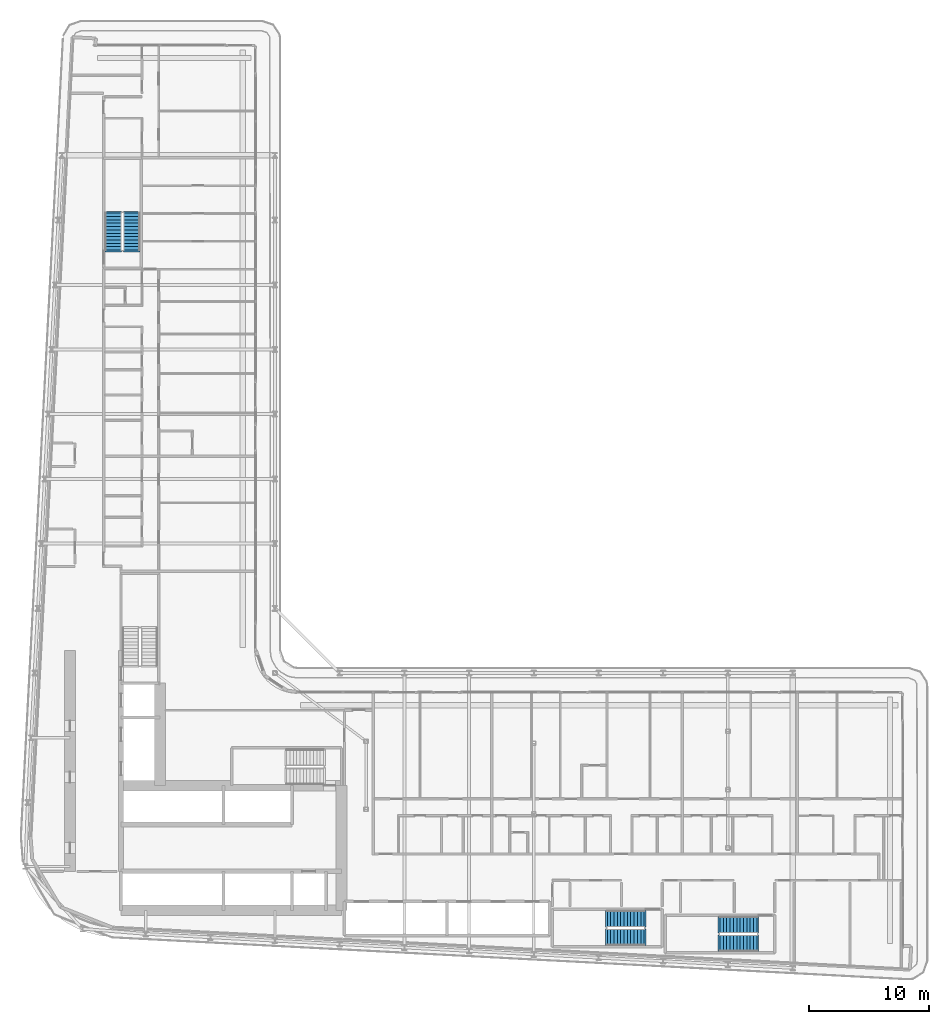
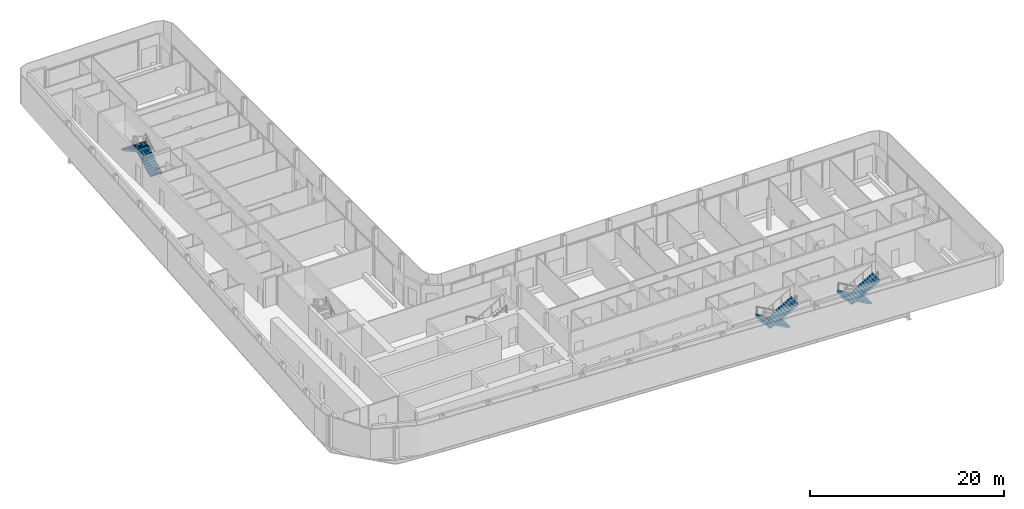
# One storey, part 21 of 28: 6 stair flights, 3 elements without a shape of their own.
"""IFC4 building model written with IfcOpenShell, lengths in metres."""

from ifc_helpers import new_model, si_unit, direction, frame, origin, place, context, subcontext, project, spatial, polyline, outline, extrude, material, layer, layer_set, type_object, element, aggregate, save


model = new_model("IFC4")

# Units and contexts
model_context = context("Model", 3, precision=1e-05, world=origin(), true_north=direction((0.0, 1.0)))
body_context = subcontext(model_context, "Body", "Model", "MODEL_VIEW")
ifc_project = project(units=[si_unit("LENGTHUNIT", "METRE"), si_unit("AREAUNIT", "SQUARE_METRE"), si_unit("VOLUMEUNIT", "CUBIC_METRE"), si_unit("PLANEANGLEUNIT", "RADIAN"), si_unit("MASSUNIT", "GRAM", prefix="KILO")], contexts=[model_context])

# Site, building, storey
site_placement = place(None, origin())
site = spatial("IfcSite", under=ifc_project, at=site_placement, CompositionType="ELEMENT")
building_placement = place(site_placement, origin())
building = spatial("IfcBuilding", under=site, at=building_placement, Name="Kheshtan School and Residences Tower", CompositionType="ELEMENT")
storey_placement = place(building_placement, frame((0.0, 0.0, 129.199951171875)))
storey = spatial("IfcBuildingStorey", under=building, at=storey_placement, Name="L30", CompositionType="ELEMENT", Elevation=129.199951171875)

# Stair, stair flights
ifc_material = material(Name="Concrete C40/50", Category="concrete")
stair_type = type_object("IfcStairType", Name="Exit stair, half-turn", PredefinedType="HALF_TURN_STAIR", material=ifc_material)
stair_1_placement = place(storey_placement, origin())
stair_1 = element("IfcStair", 1, at=stair_1_placement, inside=storey, type_object=stair_type, Name="L30 Protected Exit Stair ST3", PredefinedType="HALF_TURN_STAIR")
ifc_layer = layer(ifc_material, 0.14990234375)
ifc_layer_set = layer_set([ifc_layer], Name="Stair flight 1400 Concrete C40/50")
stair_flight_type = type_object("IfcStairFlightType", Name="Stair flight 1400 Concrete C40/50", PredefinedType="STRAIGHT", material=ifc_layer_set)
stair_flight_1_placement = place(storey_placement, frame((35.64990234375, 80.89990234375, 0.0), z_axis=(0.0, 0.0, 1.0), x_axis=(0.0, 1.0, 0.0)))
stair_flight_1 = element("IfcStairFlight", 2, at=stair_flight_1_placement, type_object=stair_flight_type, Name="ST3 flight 1", NumberOfRisers=12, NumberOfTreads=11, PredefinedType="STRAIGHT", RiserHeight=0.1625, TreadLength=0.28, context=body_context, shape_type="SweptSolid", body=[
    extrude(outline(polyline([(-0.14990234375, -0.10009765625), (-0.14990234375, 0.0), (0.0, 0.0), (0.0, 0.16259765625), (0.280029296875, 0.16259765625), (0.280029296875, 0.324951171875), (0.56005859375, 0.324951171875), (0.56005859375, 0.487548828125), (0.840087890625, 0.487548828125), (0.840087890625, 0.64990234375), (1.1201171875, 0.64990234375), (1.1201171875, 0.8125), (1.39990234375, 0.8125), (1.39990234375, 0.97509765625), (1.679931640625, 0.97509765625), (1.679931640625, 1.137451171875), (1.9599609375, 1.137451171875), (1.9599609375, 1.300048828125), (2.239990234375, 1.300048828125), (2.239990234375, 1.46240234375), (2.52001953125, 1.46240234375), (2.52001953125, 1.625), (2.800048828125, 1.625), (2.800048828125, 1.78759765625), (3.080078125, 1.78759765625), (3.080078125, 1.949951171875), (3.080078125, 1.969970703125), (3.22998046875, 1.969970703125), (3.22998046875, 1.6142578125), (0.298583984375, 0.0), (-0.14990234375, -0.10009765625)])), frame((0.0, 0.699951171875, 0.0), z_axis=(0.0, -1.0, 0.0), x_axis=(1.0, 0.0, 0.0)), (0.0, 0.0, 1.0), 1.39990234375),
])
stair_flight_2_placement = place(storey_placement, frame((34.10009765625, 83.97998046875, 1.949951171875), z_axis=(0.0, 0.0, 1.0), x_axis=(0.0, -1.0, 0.0)))
stair_flight_2 = element("IfcStairFlight", 3, at=stair_flight_2_placement, type_object=stair_flight_type, Name="ST3 flight 2", NumberOfRisers=12, NumberOfTreads=11, PredefinedType="STRAIGHT", RiserHeight=0.1625, TreadLength=0.28, context=body_context, shape_type="SweptSolid", body=[
    extrude(outline(polyline([(-0.14990234375, -0.10009765625), (-0.14990234375, 0.0), (0.0, 0.0), (0.0, 0.16259765625), (0.280029296875, 0.16259765625), (0.280029296875, 0.324951171875), (0.56005859375, 0.324951171875), (0.56005859375, 0.487548828125), (0.840087890625, 0.487548828125), (0.840087890625, 0.64990234375), (1.1201171875, 0.64990234375), (1.1201171875, 0.8125), (1.39990234375, 0.8125), (1.39990234375, 0.97509765625), (1.679931640625, 0.97509765625), (1.679931640625, 1.137451171875), (1.9599609375, 1.137451171875), (1.9599609375, 1.300048828125), (2.239990234375, 1.300048828125), (2.239990234375, 1.46240234375), (2.52001953125, 1.46240234375), (2.52001953125, 1.625), (2.800048828125, 1.625), (2.800048828125, 1.78759765625), (3.080078125, 1.78759765625), (3.080078125, 1.949951171875), (3.080078125, 1.969970703125), (3.22998046875, 1.969970703125), (3.22998046875, 1.6142578125), (0.298583984375, 0.0), (-0.14990234375, -0.10009765625)])), frame((0.0, 0.699951171875, 0.0), z_axis=(0.0, -1.0, 0.0), x_axis=(1.0, 0.0, 0.0)), (0.0, 0.0, 1.0), 1.39990234375),
])
aggregate(stair_1, [stair_flight_1, stair_flight_2])

stair_2_placement = place(storey_placement, origin())
stair_2 = element("IfcStair", 4, at=stair_2_placement, inside=storey, type_object=stair_type, Name="L30 Protected Exit Stair ST4", PredefinedType="HALF_TURN_STAIR")
stair_flight_3_placement = place(storey_placement, frame((87.820068359375, 24.60009765625, 0.0), z_axis=(0.0, 0.0, 1.0), x_axis=(-1.0, 0.0, 0.0)))
stair_flight_3 = element("IfcStairFlight", 5, at=stair_flight_3_placement, type_object=stair_flight_type, Name="ST4 flight 1", NumberOfRisers=12, NumberOfTreads=11, PredefinedType="STRAIGHT", RiserHeight=0.1625, TreadLength=0.28, context=body_context, shape_type="SweptSolid", body=[
    extrude(outline(polyline([(-0.14990234375, -0.10009765625), (-0.14990234375, 0.0), (0.0, 0.0), (0.0, 0.16259765625), (0.280029296875, 0.16259765625), (0.280029296875, 0.324951171875), (0.56005859375, 0.324951171875), (0.56005859375, 0.487548828125), (0.840087890625, 0.487548828125), (0.840087890625, 0.64990234375), (1.1201171875, 0.64990234375), (1.1201171875, 0.8125), (1.39990234375, 0.8125), (1.39990234375, 0.97509765625), (1.679931640625, 0.97509765625), (1.679931640625, 1.137451171875), (1.9599609375, 1.137451171875), (1.9599609375, 1.300048828125), (2.239990234375, 1.300048828125), (2.239990234375, 1.46240234375), (2.52001953125, 1.46240234375), (2.52001953125, 1.625), (2.800048828125, 1.625), (2.800048828125, 1.78759765625), (3.080078125, 1.78759765625), (3.080078125, 1.949951171875), (3.080078125, 1.969970703125), (3.22998046875, 1.969970703125), (3.22998046875, 1.6142578125), (0.298583984375, 0.0), (-0.14990234375, -0.10009765625)])), frame((0.0, 0.699951171875, 0.0), z_axis=(0.0, -1.0, 0.0), x_axis=(1.0, 0.0, 0.0)), (0.0, 0.0, 1.0), 1.39990234375),
])
stair_flight_4_placement = place(storey_placement, frame((84.739990234375, 23.050048828125, 1.949951171875), z_axis=(0.0, 0.0, 1.0), x_axis=(1.0, 0.0, 0.0)))
stair_flight_4 = element("IfcStairFlight", 6, at=stair_flight_4_placement, type_object=stair_flight_type, Name="ST4 flight 2", NumberOfRisers=12, NumberOfTreads=11, PredefinedType="STRAIGHT", RiserHeight=0.1625, TreadLength=0.28, context=body_context, shape_type="SweptSolid", body=[
    extrude(outline(polyline([(-0.14990234375, -0.10009765625), (-0.14990234375, 0.0), (0.0, 0.0), (0.0, 0.16259765625), (0.280029296875, 0.16259765625), (0.280029296875, 0.324951171875), (0.56005859375, 0.324951171875), (0.56005859375, 0.487548828125), (0.840087890625, 0.487548828125), (0.840087890625, 0.64990234375), (1.1201171875, 0.64990234375), (1.1201171875, 0.8125), (1.39990234375, 0.8125), (1.39990234375, 0.97509765625), (1.679931640625, 0.97509765625), (1.679931640625, 1.137451171875), (1.9599609375, 1.137451171875), (1.9599609375, 1.300048828125), (2.239990234375, 1.300048828125), (2.239990234375, 1.46240234375), (2.52001953125, 1.46240234375), (2.52001953125, 1.625), (2.800048828125, 1.625), (2.800048828125, 1.78759765625), (3.080078125, 1.78759765625), (3.080078125, 1.949951171875), (3.080078125, 1.969970703125), (3.22998046875, 1.969970703125), (3.22998046875, 1.6142578125), (0.298583984375, 0.0), (-0.14990234375, -0.10009765625)])), frame((0.0, 0.699951171875, 0.0), z_axis=(0.0, -1.0, 0.0), x_axis=(1.0, 0.0, 0.0)), (0.0, 0.0, 1.0), 1.39990234375),
])
aggregate(stair_2, [stair_flight_3, stair_flight_4])

stair_3_placement = place(storey_placement, origin())
stair_3 = element("IfcStair", 7, at=stair_3_placement, inside=storey, type_object=stair_type, Name="L30 Protected Exit Stair ST5", PredefinedType="HALF_TURN_STAIR")
stair_flight_5_placement = place(storey_placement, frame((78.409912109375, 25.10009765625, 0.0), z_axis=(0.0, 0.0, 1.0), x_axis=(-1.0, 0.0, 0.0)))
stair_flight_5 = element("IfcStairFlight", 8, at=stair_flight_5_placement, type_object=stair_flight_type, Name="ST5 flight 1", NumberOfRisers=12, NumberOfTreads=11, PredefinedType="STRAIGHT", RiserHeight=0.1625, TreadLength=0.28, context=body_context, shape_type="SweptSolid", body=[
    extrude(outline(polyline([(-0.14990234375, -0.10009765625), (-0.14990234375, 0.0), (0.0, 0.0), (0.0, 0.16259765625), (0.280029296875, 0.16259765625), (0.280029296875, 0.324951171875), (0.56005859375, 0.324951171875), (0.56005859375, 0.487548828125), (0.840087890625, 0.487548828125), (0.840087890625, 0.64990234375), (1.1201171875, 0.64990234375), (1.1201171875, 0.8125), (1.39990234375, 0.8125), (1.39990234375, 0.97509765625), (1.679931640625, 0.97509765625), (1.679931640625, 1.137451171875), (1.9599609375, 1.137451171875), (1.9599609375, 1.300048828125), (2.239990234375, 1.300048828125), (2.239990234375, 1.46240234375), (2.52001953125, 1.46240234375), (2.52001953125, 1.625), (2.800048828125, 1.625), (2.800048828125, 1.78759765625), (3.080078125, 1.78759765625), (3.080078125, 1.949951171875), (3.080078125, 1.969970703125), (3.22998046875, 1.969970703125), (3.22998046875, 1.6142578125), (0.298583984375, 0.0), (-0.14990234375, -0.10009765625)])), frame((0.0, 0.699951171875, 0.0), z_axis=(0.0, -1.0, 0.0), x_axis=(1.0, 0.0, 0.0)), (0.0, 0.0, 1.0), 1.39990234375),
])
stair_flight_6_placement = place(storey_placement, frame((75.330078125, 23.550048828125, 1.949951171875), z_axis=(0.0, 0.0, 1.0), x_axis=(1.0, 0.0, 0.0)))
stair_flight_6 = element("IfcStairFlight", 9, at=stair_flight_6_placement, type_object=stair_flight_type, Name="ST5 flight 2", NumberOfRisers=12, NumberOfTreads=11, PredefinedType="STRAIGHT", RiserHeight=0.1625, TreadLength=0.28, context=body_context, shape_type="SweptSolid", body=[
    extrude(outline(polyline([(-0.14990234375, -0.10009765625), (-0.14990234375, 0.0), (0.0, 0.0), (0.0, 0.16259765625), (0.280029296875, 0.16259765625), (0.280029296875, 0.324951171875), (0.56005859375, 0.324951171875), (0.56005859375, 0.487548828125), (0.840087890625, 0.487548828125), (0.840087890625, 0.64990234375), (1.1201171875, 0.64990234375), (1.1201171875, 0.8125), (1.39990234375, 0.8125), (1.39990234375, 0.97509765625), (1.679931640625, 0.97509765625), (1.679931640625, 1.137451171875), (1.9599609375, 1.137451171875), (1.9599609375, 1.300048828125), (2.239990234375, 1.300048828125), (2.239990234375, 1.46240234375), (2.52001953125, 1.46240234375), (2.52001953125, 1.625), (2.800048828125, 1.625), (2.800048828125, 1.78759765625), (3.080078125, 1.78759765625), (3.080078125, 1.949951171875), (3.080078125, 1.969970703125), (3.22998046875, 1.969970703125), (3.22998046875, 1.6142578125), (0.298583984375, 0.0), (-0.14990234375, -0.10009765625)])), frame((0.0, 0.699951171875, 0.0), z_axis=(0.0, -1.0, 0.0), x_axis=(1.0, 0.0, 0.0)), (0.0, 0.0, 1.0), 1.39990234375),
])
aggregate(stair_3, [stair_flight_5, stair_flight_6])

save(model, "model.ifc")
